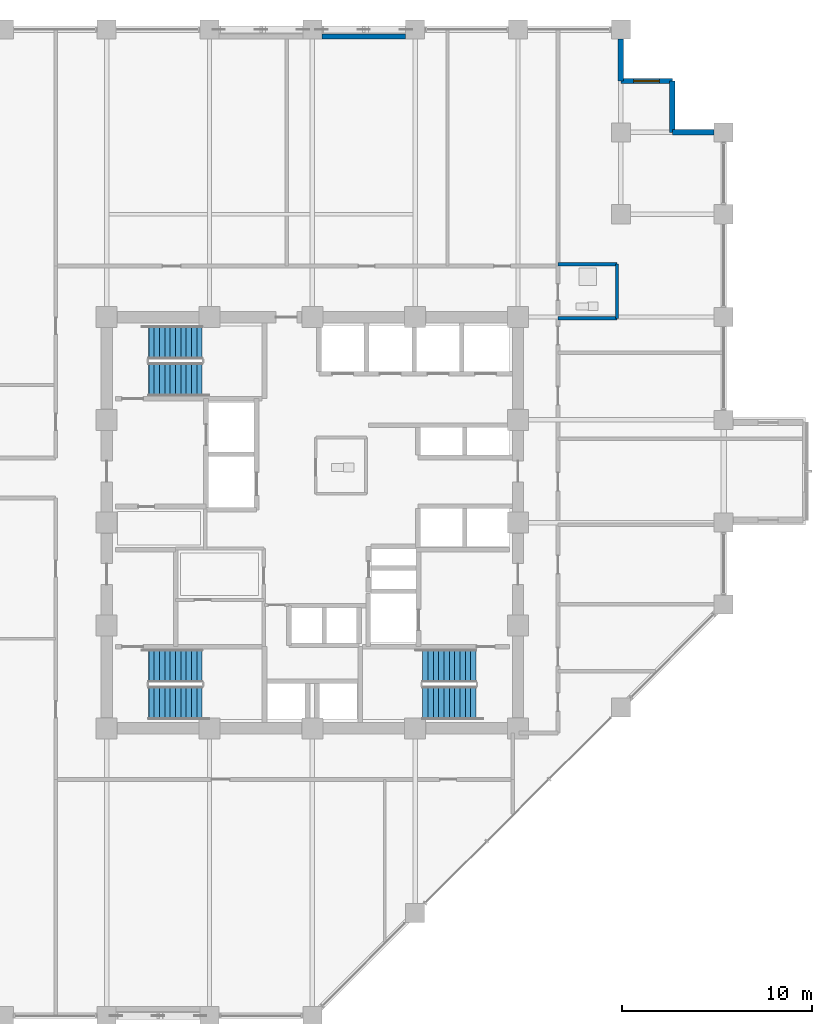
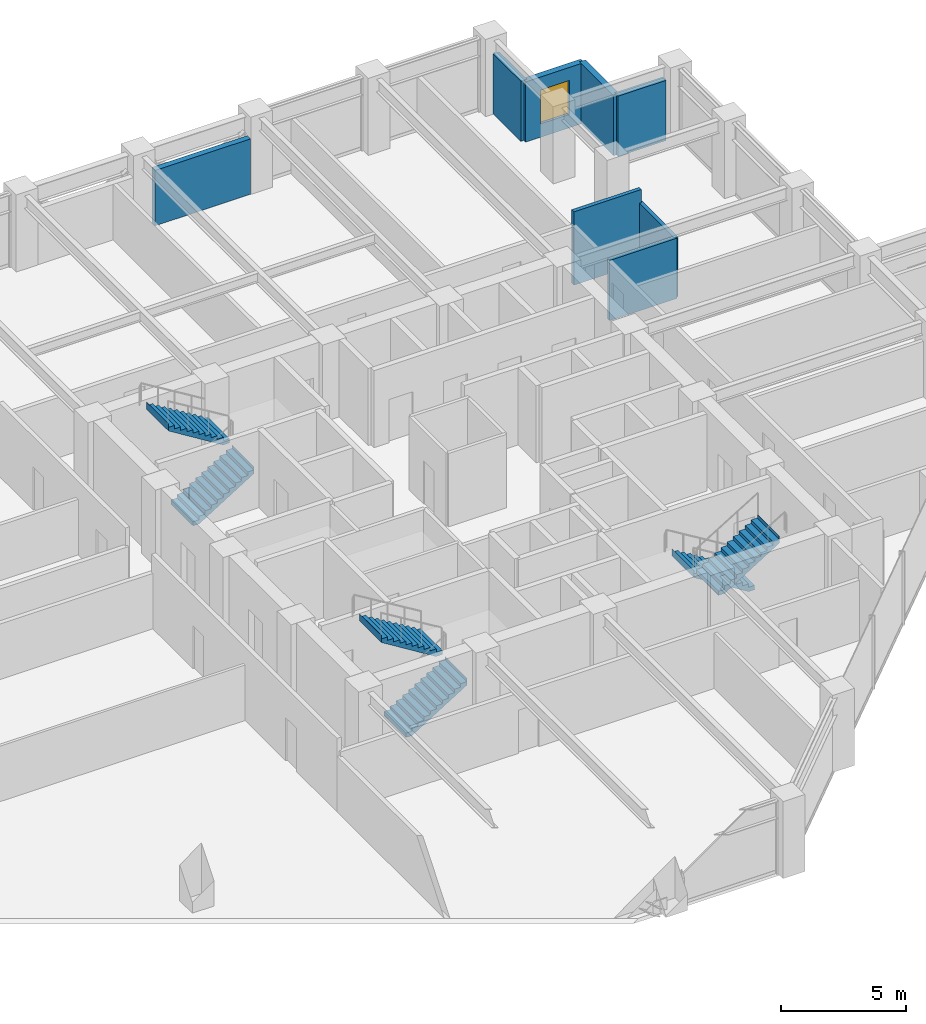
# One storey, part 22 of 26: 8 walls, 6 stair flights, 1 window, 1 opening, 3 elements without a shape of their own.
"""IFC4 building model written with IfcOpenShell, lengths in metres."""

from ifc_helpers import new_model, si_unit, direction, frame, frame_2d, origin, place, context, subcontext, project, spatial, polyline, rectangle, outline, extrude, material, layer, layer_set, type_object, element, fill, aggregate, save


model = new_model("IFC4")

# Units and contexts
model_context = context("Model", 3, precision=1e-05, world=origin(), true_north=direction((0.0, 1.0)))
body_context = subcontext(model_context, "Body", "Model", "MODEL_VIEW")
ifc_project = project(units=[si_unit("LENGTHUNIT", "METRE"), si_unit("AREAUNIT", "SQUARE_METRE"), si_unit("VOLUMEUNIT", "CUBIC_METRE"), si_unit("PLANEANGLEUNIT", "RADIAN"), si_unit("MASSUNIT", "GRAM", prefix="KILO")], contexts=[model_context])

# Site, building, storey
site_placement = place(None, origin())
site = spatial("IfcSite", under=ifc_project, at=site_placement, CompositionType="ELEMENT")
building_placement = place(site_placement, origin())
building = spatial("IfcBuilding", under=site, at=building_placement, Name="Surkhivell Harbour Commons", CompositionType="ELEMENT")
storey_placement = place(building_placement, frame((0.0, 0.0, 143.25)))
storey = spatial("IfcBuildingStorey", under=building, at=storey_placement, Name="L37", CompositionType="ELEMENT", Elevation=143.25)

# Walls
ifc_material_1 = material(Name="Pale-metal insulated precast concrete C45/55", Category="concrete")
ifc_layer_1 = layer(ifc_material_1, 0.260009765625)
ifc_layer_set_1 = layer_set([ifc_layer_1], Name="Pale-metal insulated precast concrete C45/55")
wall_type_1 = type_object("IfcWallType", Name="WAL-EXT-MTL260", PredefinedType="STANDARD", material=ifc_layer_set_1)
wall_1_placement = place(storey_placement, frame((4.902099609375, 25.5400390625, 0.0), z_axis=(0.0, 0.0, 1.0), x_axis=(-1.0, 0.0, 0.0)))
element("IfcWall", 1, at=wall_1_placement, inside=storey, type_object=wall_type_1, Name="L37 Braced-Bay Insulated Spandrel Backing N2", PredefinedType="STANDARD", context=body_context, shape_type="SweptSolid", body=[
    extrude(rectangle(XDim=4.404052734375, YDim=0.260009765625, at=frame_2d((2.2021484375, 0.0))), origin(), (0.0, 0.0, 1.0), 2.698974609375),
])
ifc_material_2 = material(Name="Terracotta-clad reinforced concrete C45/55", Category="masonry")
ifc_layer_2 = layer(ifc_material_2, 0.280029296875)
ifc_layer_set_2 = layer_set([ifc_layer_2], Name="Terracotta-clad reinforced concrete C45/55")
wall_type_2 = type_object("IfcWallType", Name="WAL-EXT-TER280", PredefinedType="STANDARD", material=ifc_layer_set_2)
wall_2_placement = place(storey_placement, frame((21.10205078125, 20.5, 0.0), z_axis=(0.0, 0.0, 1.0), x_axis=(-1.0, 0.0, 0.0)))
element("IfcWall", 2, at=wall_2_placement, inside=storey, type_object=wall_type_2, Name="L37 Serrated Corner Facade Wall 03", PredefinedType="STANDARD", context=body_context, shape_type="SweptSolid", body=[
    extrude(rectangle(XDim=2.2021484375, YDim=0.280029296875, at=frame_2d((1.10107421875, 0.0))), origin(), (0.0, 0.0, 1.0), 2.93310546875),
])
wall_3_placement = place(storey_placement, frame((18.89990234375, 20.5, 0.0), z_axis=(0.0, 0.0, 1.0), x_axis=(0.0, 1.0, 0.0)))
element("IfcWall", 3, at=wall_3_placement, inside=storey, type_object=wall_type_2, Name="L37 Serrated Corner Facade Wall 04", PredefinedType="STANDARD", context=body_context, shape_type="SweptSolid", body=[
    extrude(rectangle(XDim=2.699951171875, YDim=0.280029296875, at=frame_2d((1.35009765625, 0.0))), origin(), (0.0, 0.0, 1.0), 2.93310546875),
])

# Wall, opening, window
wall_4_placement = place(storey_placement, frame((18.89990234375, 23.199951171875, 0.0), z_axis=(0.0, 0.0, 1.0), x_axis=(-1.0, 0.0, 0.0)))
wall_4 = element("IfcWall", 4, at=wall_4_placement, inside=storey, type_object=wall_type_2, Name="L37 Serrated Corner Facade Wall 05", PredefinedType="STANDARD", context=body_context, shape_type="SweptSolid", body=[
    extrude(rectangle(XDim=2.699951171875, YDim=0.280029296875, at=frame_2d((1.35009765625, 0.0))), origin(), (0.0, 0.0, 1.0), 2.93310546875),
])
opening_placement = place(wall_4_placement, frame((0.675048828125, 0.0, 0.64990234375)))
opening = element("IfcOpeningElement", 5, at=opening_placement, cuts=wall_4, Name="Opening WN-08", PredefinedType="OPENING", context=body_context, shape_type="SweptSolid", body=[
    extrude(rectangle(XDim=1.35009765625, YDim=1.64990234375, at=frame_2d((0.675048828125, 0.824951171875))), frame((0.0, 0.14990234375, 0.0), z_axis=(0.0, -1.0, 0.0), x_axis=(1.0, 0.0, 0.0)), (0.0, 0.0, 1.0), 0.300048828125),
])
ifc_material_3 = material(Name="Thermal-break aluminium frame and double low-E glazing", Category="aluminium")
window_type = type_object("IfcWindowType", Name="WIN-SER-1350x1650", PartitioningType="SINGLE_PANEL", PredefinedType="WINDOW", material=ifc_material_3)
window_placement = place(opening_placement, origin())
window = element("IfcWindow", 6, at=window_placement, inside=storey, type_object=window_type, Name="L37 Serrated Alcove Window 05", OverallHeight=1.64990234375, OverallWidth=1.35009765625, PartitioningType="SINGLE_PANEL", PredefinedType="WINDOW", context=body_context, shape_type="SweptSolid", body=[
    extrude(rectangle(XDim=1.35009765625, YDim=1.64990234375, at=frame_2d((0.675048828125, 0.824951171875))), frame((0.0, 0.030029296875, 0.0), z_axis=(0.0, -1.0, 0.0), x_axis=(1.0, 0.0, 0.0)), (0.0, 0.0, 1.0), 0.06005859375),
])
fill(opening, window)

# Walls
wall_5_placement = place(storey_placement, frame((16.199951171875, 23.199951171875, 0.0), z_axis=(0.0, 0.0, 1.0), x_axis=(0.0, 1.0, 0.0)))
element("IfcWall", 7, at=wall_5_placement, inside=storey, type_object=wall_type_2, Name="L37 Serrated Corner Facade Wall 06", PredefinedType="STANDARD", context=body_context, shape_type="SweptSolid", body=[
    extrude(rectangle(XDim=2.2021484375, YDim=0.280029296875, at=frame_2d((1.10107421875, 0.0))), origin(), (0.0, 0.0, 1.0), 2.93310546875),
])
ifc_material_4 = material(Name="High-density acoustic blockwork fire partition", Category="masonry")
ifc_layer_3 = layer(ifc_material_4, 0.175048828125)
ifc_layer_set_3 = layer_set([ifc_layer_3], Name="High-density acoustic blockwork fire partition")
wall_type_3 = type_object("IfcWallType", Name="WAL-INT-175", PredefinedType="PARTITIONING", material=ifc_layer_set_3)
wall_6_placement = place(storey_placement, frame((16.0, 10.72998046875, 0.0), z_axis=(0.0, 0.0, 1.0), x_axis=(0.0, 1.0, 0.0)))
element("IfcWall", 8, at=wall_6_placement, inside=storey, type_object=wall_type_3, Name="L37 East Partition BTHB", PredefinedType="PARTITIONING", context=body_context, shape_type="SweptSolid", body=[
    extrude(rectangle(XDim=2.85009765625, YDim=0.175048828125, at=frame_2d((1.425048828125, 0.0))), origin(), (0.0, 0.0, 1.0), 2.93310546875),
])
wall_7_placement = place(storey_placement, frame((12.89990234375, 13.580078125, 0.0), z_axis=(0.0, 0.0, 1.0), x_axis=(1.0, 0.0, 0.0)))
element("IfcWall", 9, at=wall_7_placement, inside=storey, type_object=wall_type_3, Name="L37 East Partition BTHN", PredefinedType="PARTITIONING", context=body_context, shape_type="SweptSolid", body=[
    extrude(rectangle(XDim=3.10009765625, YDim=0.175048828125, at=frame_2d((1.550048828125, 0.0))), origin(), (0.0, 0.0, 1.0), 3.570068359375),
])
wall_8_placement = place(storey_placement, frame((12.89990234375, 10.72998046875, 0.0), z_axis=(0.0, 0.0, 1.0), x_axis=(1.0, 0.0, 0.0)))
element("IfcWall", 10, at=wall_8_placement, inside=storey, type_object=wall_type_3, Name="L37 East Partition BTHS", PredefinedType="PARTITIONING", context=body_context, shape_type="SweptSolid", body=[
    extrude(rectangle(XDim=3.10009765625, YDim=0.175048828125, at=frame_2d((1.550048828125, 0.0))), origin(), (0.0, 0.0, 1.0), 2.93310546875),
])

# Stair, stair flights
ifc_material_5 = material(Name="Precast concrete C45/55", Category="concrete")
stair_type = type_object("IfcStairType", Name="STR-DL-375", PredefinedType="HALF_TURN_STAIR", material=ifc_material_5)
stair_1_placement = place(storey_placement, origin())
stair_1 = element("IfcStair", 11, at=stair_1_placement, inside=storey, type_object=stair_type, Name="L37 Core Exit Stair ST1", PredefinedType="HALF_TURN_STAIR")
stair_flight_type = type_object("IfcStairFlightType", Name="STF-DL-375", PredefinedType="STRAIGHT", material=ifc_material_5)
stair_flight_1_placement = place(storey_placement, frame((-8.590087890625, 7.514892578125, 0.0), z_axis=(0.0, 0.0, 1.0), x_axis=(1.0, 0.0, 0.0)))
stair_flight_1 = element("IfcStairFlight", 12, at=stair_flight_1_placement, type_object=stair_flight_type, Name="ST1 flight 1", NumberOfRisers=11, NumberOfTreads=10, PredefinedType="STRAIGHT", RiserHeight=0.170454545, TreadLength=0.28, context=body_context, shape_type="SweptSolid", body=[
    extrude(outline(polyline([(-0.0029296875, -0.034912109375), (-0.0029296875, 0.0), (0.0, 0.0), (0.0, 0.17041015625), (0.280029296875, 0.17041015625), (0.280029296875, 0.3408203125), (0.56005859375, 0.3408203125), (0.56005859375, 0.511474609375), (0.840087890625, 0.511474609375), (0.840087890625, 0.681884765625), (1.1201171875, 0.681884765625), (1.1201171875, 0.852294921875), (1.39990234375, 0.852294921875), (1.39990234375, 1.022705078125), (1.679931640625, 1.022705078125), (1.679931640625, 1.193115234375), (1.9599609375, 1.193115234375), (1.9599609375, 1.363525390625), (2.239990234375, 1.363525390625), (2.239990234375, 1.5341796875), (2.52001953125, 1.5341796875), (2.52001953125, 1.70458984375), (2.800048828125, 1.70458984375), (2.800048828125, 1.875), (2.802978515625, 1.875), (2.802978515625, 1.529052734375), (0.288330078125, -0.034912109375), (-0.0029296875, -0.034912109375)])), frame((0.0, 0.875, 0.0), z_axis=(0.0, -1.0, 0.0), x_axis=(1.0, 0.0, 0.0)), (0.0, 0.0, 1.0), 1.75),
])
stair_flight_2_placement = place(storey_placement, frame((-5.7900390625, 9.465087890625, 1.875), z_axis=(0.0, 0.0, 1.0), x_axis=(-1.0, 0.0, 0.0)))
stair_flight_2 = element("IfcStairFlight", 13, at=stair_flight_2_placement, type_object=stair_flight_type, Name="ST1 flight 2", NumberOfRisers=11, NumberOfTreads=10, PredefinedType="STRAIGHT", RiserHeight=0.170454545, TreadLength=0.28, context=body_context, shape_type="SweptSolid", body=[
    extrude(outline(polyline([(-0.0029296875, -0.034912109375), (-0.0029296875, 0.0), (0.0, 0.0), (0.0, 0.17041015625), (0.280029296875, 0.17041015625), (0.280029296875, 0.3408203125), (0.56005859375, 0.3408203125), (0.56005859375, 0.511474609375), (0.840087890625, 0.511474609375), (0.840087890625, 0.681884765625), (1.1201171875, 0.681884765625), (1.1201171875, 0.852294921875), (1.39990234375, 0.852294921875), (1.39990234375, 1.022705078125), (1.679931640625, 1.022705078125), (1.679931640625, 1.193115234375), (1.9599609375, 1.193115234375), (1.9599609375, 1.363525390625), (2.239990234375, 1.363525390625), (2.239990234375, 1.5341796875), (2.52001953125, 1.5341796875), (2.52001953125, 1.70458984375), (2.800048828125, 1.70458984375), (2.800048828125, 1.875), (2.802978515625, 1.875), (2.802978515625, 1.529052734375), (0.288330078125, -0.034912109375), (-0.0029296875, -0.034912109375)])), frame((0.0, 0.875, 0.0), z_axis=(0.0, -1.0, 0.0), x_axis=(1.0, 0.0, 0.0)), (0.0, 0.0, 1.0), 1.75),
])
aggregate(stair_1, [stair_flight_1, stair_flight_2])

stair_2_placement = place(storey_placement, origin())
stair_2 = element("IfcStair", 14, at=stair_2_placement, inside=storey, type_object=stair_type, Name="L37 Core Exit Stair ST2", PredefinedType="HALF_TURN_STAIR")
stair_flight_3_placement = place(storey_placement, frame((8.590087890625, -7.514892578125, 0.0), z_axis=(0.0, 0.0, 1.0), x_axis=(-1.0, 0.0, 0.0)))
stair_flight_3 = element("IfcStairFlight", 15, at=stair_flight_3_placement, type_object=stair_flight_type, Name="ST2 flight 1", NumberOfRisers=11, NumberOfTreads=10, PredefinedType="STRAIGHT", RiserHeight=0.170454545, TreadLength=0.28, context=body_context, shape_type="SweptSolid", body=[
    extrude(outline(polyline([(-0.0029296875, -0.034912109375), (-0.0029296875, 0.0), (0.0, 0.0), (0.0, 0.17041015625), (0.280029296875, 0.17041015625), (0.280029296875, 0.3408203125), (0.56005859375, 0.3408203125), (0.56005859375, 0.511474609375), (0.840087890625, 0.511474609375), (0.840087890625, 0.681884765625), (1.1201171875, 0.681884765625), (1.1201171875, 0.852294921875), (1.39990234375, 0.852294921875), (1.39990234375, 1.022705078125), (1.679931640625, 1.022705078125), (1.679931640625, 1.193115234375), (1.9599609375, 1.193115234375), (1.9599609375, 1.363525390625), (2.239990234375, 1.363525390625), (2.239990234375, 1.5341796875), (2.52001953125, 1.5341796875), (2.52001953125, 1.70458984375), (2.800048828125, 1.70458984375), (2.800048828125, 1.875), (2.802978515625, 1.875), (2.802978515625, 1.529052734375), (0.288330078125, -0.034912109375), (-0.0029296875, -0.034912109375)])), frame((0.0, 0.875, 0.0), z_axis=(0.0, -1.0, 0.0), x_axis=(1.0, 0.0, 0.0)), (0.0, 0.0, 1.0), 1.75),
])
stair_flight_4_placement = place(storey_placement, frame((5.7900390625, -9.465087890625, 1.875), z_axis=(0.0, 0.0, 1.0), x_axis=(1.0, 0.0, 0.0)))
stair_flight_4 = element("IfcStairFlight", 16, at=stair_flight_4_placement, type_object=stair_flight_type, Name="ST2 flight 2", NumberOfRisers=11, NumberOfTreads=10, PredefinedType="STRAIGHT", RiserHeight=0.170454545, TreadLength=0.28, context=body_context, shape_type="SweptSolid", body=[
    extrude(outline(polyline([(-0.0029296875, -0.034912109375), (-0.0029296875, 0.0), (0.0, 0.0), (0.0, 0.17041015625), (0.280029296875, 0.17041015625), (0.280029296875, 0.3408203125), (0.56005859375, 0.3408203125), (0.56005859375, 0.511474609375), (0.840087890625, 0.511474609375), (0.840087890625, 0.681884765625), (1.1201171875, 0.681884765625), (1.1201171875, 0.852294921875), (1.39990234375, 0.852294921875), (1.39990234375, 1.022705078125), (1.679931640625, 1.022705078125), (1.679931640625, 1.193115234375), (1.9599609375, 1.193115234375), (1.9599609375, 1.363525390625), (2.239990234375, 1.363525390625), (2.239990234375, 1.5341796875), (2.52001953125, 1.5341796875), (2.52001953125, 1.70458984375), (2.800048828125, 1.70458984375), (2.800048828125, 1.875), (2.802978515625, 1.875), (2.802978515625, 1.529052734375), (0.288330078125, -0.034912109375), (-0.0029296875, -0.034912109375)])), frame((0.0, 0.875, 0.0), z_axis=(0.0, -1.0, 0.0), x_axis=(1.0, 0.0, 0.0)), (0.0, 0.0, 1.0), 1.75),
])
aggregate(stair_2, [stair_flight_3, stair_flight_4])

stair_3_placement = place(storey_placement, origin())
stair_3 = element("IfcStair", 17, at=stair_3_placement, inside=storey, type_object=stair_type, Name="L37 Core Exit Stair ST3", PredefinedType="HALF_TURN_STAIR")
stair_flight_5_placement = place(storey_placement, frame((-8.590087890625, -9.465087890625, 0.0), z_axis=(0.0, 0.0, 1.0), x_axis=(1.0, 0.0, 0.0)))
stair_flight_5 = element("IfcStairFlight", 18, at=stair_flight_5_placement, type_object=stair_flight_type, Name="ST3 flight 1", NumberOfRisers=11, NumberOfTreads=10, PredefinedType="STRAIGHT", RiserHeight=0.170454545, TreadLength=0.28, context=body_context, shape_type="SweptSolid", body=[
    extrude(outline(polyline([(-0.0029296875, -0.034912109375), (-0.0029296875, 0.0), (0.0, 0.0), (0.0, 0.17041015625), (0.280029296875, 0.17041015625), (0.280029296875, 0.3408203125), (0.56005859375, 0.3408203125), (0.56005859375, 0.511474609375), (0.840087890625, 0.511474609375), (0.840087890625, 0.681884765625), (1.1201171875, 0.681884765625), (1.1201171875, 0.852294921875), (1.39990234375, 0.852294921875), (1.39990234375, 1.022705078125), (1.679931640625, 1.022705078125), (1.679931640625, 1.193115234375), (1.9599609375, 1.193115234375), (1.9599609375, 1.363525390625), (2.239990234375, 1.363525390625), (2.239990234375, 1.5341796875), (2.52001953125, 1.5341796875), (2.52001953125, 1.70458984375), (2.800048828125, 1.70458984375), (2.800048828125, 1.875), (2.802978515625, 1.875), (2.802978515625, 1.529052734375), (0.288330078125, -0.034912109375), (-0.0029296875, -0.034912109375)])), frame((0.0, 0.875, 0.0), z_axis=(0.0, -1.0, 0.0), x_axis=(1.0, 0.0, 0.0)), (0.0, 0.0, 1.0), 1.75),
])
stair_flight_6_placement = place(storey_placement, frame((-5.7900390625, -7.514892578125, 1.875), z_axis=(0.0, 0.0, 1.0), x_axis=(-1.0, 0.0, 0.0)))
stair_flight_6 = element("IfcStairFlight", 19, at=stair_flight_6_placement, type_object=stair_flight_type, Name="ST3 flight 2", NumberOfRisers=11, NumberOfTreads=10, PredefinedType="STRAIGHT", RiserHeight=0.170454545, TreadLength=0.28, context=body_context, shape_type="SweptSolid", body=[
    extrude(outline(polyline([(-0.0029296875, -0.034912109375), (-0.0029296875, 0.0), (0.0, 0.0), (0.0, 0.17041015625), (0.280029296875, 0.17041015625), (0.280029296875, 0.3408203125), (0.56005859375, 0.3408203125), (0.56005859375, 0.511474609375), (0.840087890625, 0.511474609375), (0.840087890625, 0.681884765625), (1.1201171875, 0.681884765625), (1.1201171875, 0.852294921875), (1.39990234375, 0.852294921875), (1.39990234375, 1.022705078125), (1.679931640625, 1.022705078125), (1.679931640625, 1.193115234375), (1.9599609375, 1.193115234375), (1.9599609375, 1.363525390625), (2.239990234375, 1.363525390625), (2.239990234375, 1.5341796875), (2.52001953125, 1.5341796875), (2.52001953125, 1.70458984375), (2.800048828125, 1.70458984375), (2.800048828125, 1.875), (2.802978515625, 1.875), (2.802978515625, 1.529052734375), (0.288330078125, -0.034912109375), (-0.0029296875, -0.034912109375)])), frame((0.0, 0.875, 0.0), z_axis=(0.0, -1.0, 0.0), x_axis=(1.0, 0.0, 0.0)), (0.0, 0.0, 1.0), 1.75),
])
aggregate(stair_3, [stair_flight_5, stair_flight_6])

save(model, "model.ifc")
